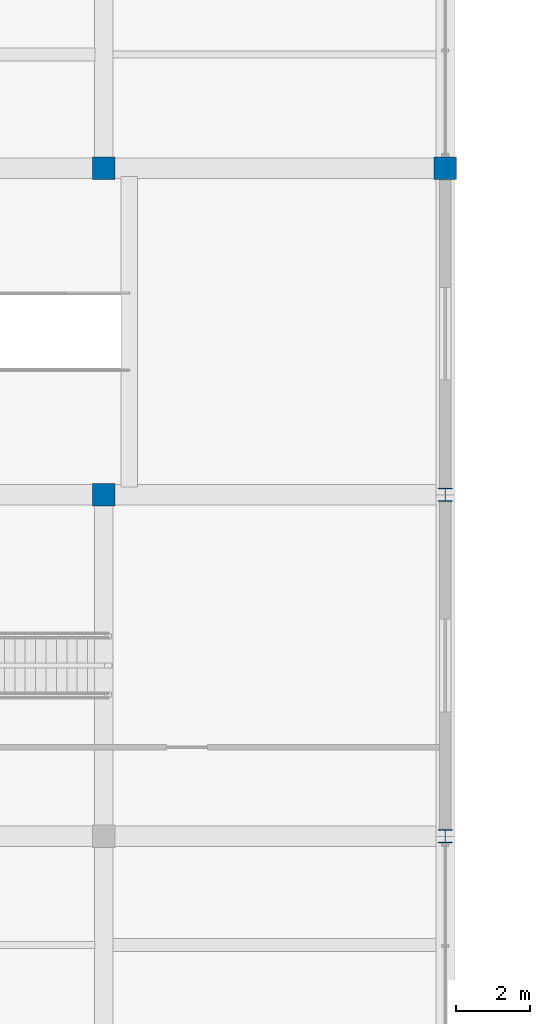
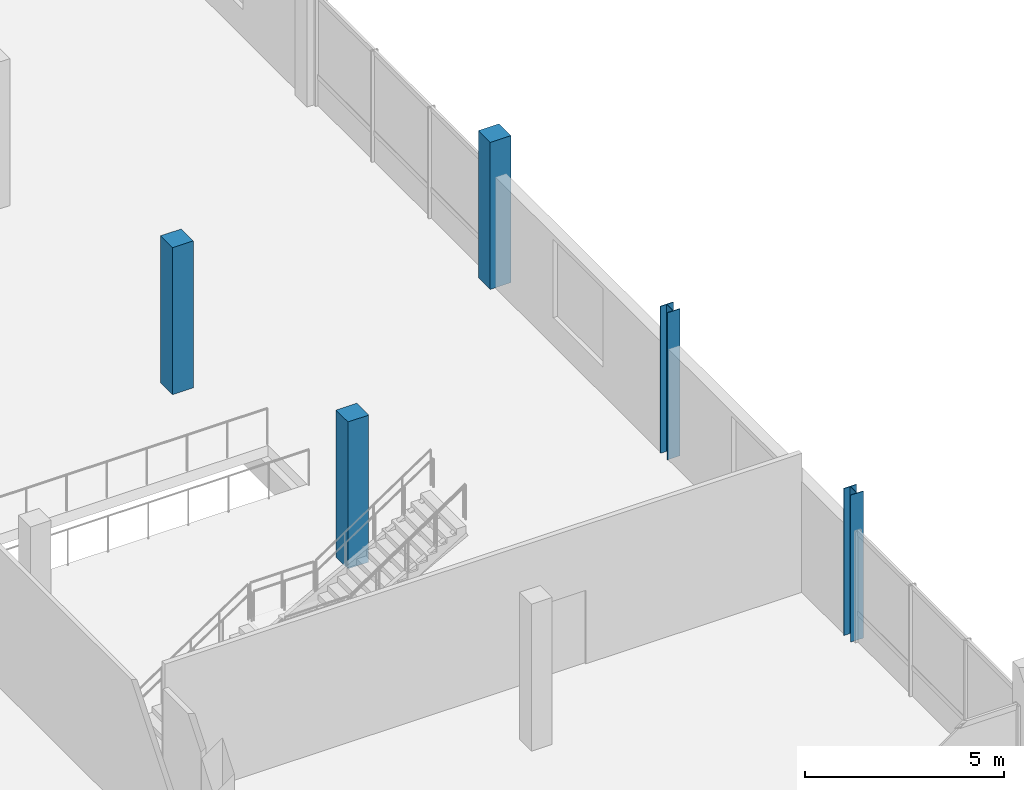
# One storey, part 6 of 77: 5 columns.
"""IFC4 building model written with IfcOpenShell, lengths in metres."""

from ifc_helpers import new_model, si_unit, direction, frame, origin, origin_2d, place, context, subcontext, project, spatial, rectangle, i_section, extrude, material, material_profile, profile_set, type_object, element, save


model = new_model("IFC4")

# Units and contexts
model_context = context("Model", 3, precision=1e-05, world=origin(), true_north=direction((0.0, 1.0)))
body_context = subcontext(model_context, "Body", "Model", "MODEL_VIEW")
ifc_project = project(units=[si_unit("LENGTHUNIT", "METRE"), si_unit("AREAUNIT", "SQUARE_METRE"), si_unit("VOLUMEUNIT", "CUBIC_METRE"), si_unit("PLANEANGLEUNIT", "RADIAN"), si_unit("MASSUNIT", "GRAM", prefix="KILO")], contexts=[model_context])

# Site, building, storey
site_placement = place(None, origin())
site = spatial("IfcSite", under=ifc_project, at=site_placement, CompositionType="ELEMENT")
building_placement = place(site_placement, origin())
building = spatial("IfcBuilding", under=site, at=building_placement, Name="Meriwether Solvik Hall", CompositionType="ELEMENT")
storey_placement = place(building_placement, frame((0.0, 0.0, 9.89990234375)))
storey = spatial("IfcBuildingStorey", under=building, at=storey_placement, Name="L02", CompositionType="ELEMENT", Elevation=9.89990234375)

# Columns
ifc_material_1 = material(Name="Concrete C40/50", Category="concrete")
ifc_material_profile_1 = material_profile(ifc_material_1, rectangle(XDim=0.60009765625, YDim=0.60009765625, at=origin_2d()), Name="RCC-600X600")
ifc_profile_set_1 = profile_set([ifc_material_profile_1], Name="Concrete C40/50")
column_type_1 = type_object("IfcColumnType", Name="COL-RC-600", PredefinedType="COLUMN", material=ifc_profile_set_1)
for number, where, z_axis, x_axis, name in (
    (1, (105.0, 23.199951171875, 0.0), (0.0, 0.0, 1.0), (1.0, 0.0, 0.0), "Podium Column 12/C (L02)"),
    (2, (105.0, 32.0, 0.0), (0.0, 0.0, 1.0), (1.0, 0.0, 0.0), "Podium Column 12/D (L02)"),
    (3, (114.199951171875, 32.0, 0.0), (0.0, 0.0, 1.0), (1.0, 0.0, 0.0), "Podium Column 13/D (L02)"),
):
    element("IfcColumn", number, at=place(storey_placement, frame(where, z_axis=z_axis, x_axis=x_axis)), inside=storey, type_object=column_type_1, Name=name, PredefinedType="COLUMN", context=body_context, shape_type="SweptSolid", body=[
        extrude(rectangle(XDim=0.60009765625, YDim=0.60009765625, at=origin_2d()), origin(), (0.0, 0.0, 1.0), 4.5),
    ])
ifc_material_2 = material(Name="Steel A992 Grade 50", Category="steel")
ifc_material_profile_2 = material_profile(ifc_material_2, i_section(OverallWidth=0.368896484375, OverallDepth=0.35595703125, WebThickness=0.01123046875, FlangeThickness=0.01806640625, at=origin_2d()), Name="W14X90")
ifc_profile_set_2 = profile_set([ifc_material_profile_2], Name="Steel A992 Grade 50")
column_type_2 = type_object("IfcColumnType", Name="COL-STL-W14X90", PredefinedType="COLUMN", material=ifc_profile_set_2)
for number, where, z_axis, x_axis, name in (
    (4, (114.199951171875, 14.0, 0.0), (0.0, 0.0, 1.0), (1.0, 0.0, 0.0), "Podium Column 13/B (L02)"),
    (5, (114.199951171875, 23.199951171875, 0.0), (0.0, 0.0, 1.0), (1.0, 0.0, 0.0), "Podium Column 13/C (L02)"),
):
    element("IfcColumn", number, at=place(storey_placement, frame(where, z_axis=z_axis, x_axis=x_axis)), inside=storey, type_object=column_type_2, Name=name, PredefinedType="COLUMN", context=body_context, shape_type="SweptSolid", body=[
        extrude(i_section(OverallWidth=0.368896484375, OverallDepth=0.35595703125, WebThickness=0.01123046875, FlangeThickness=0.01806640625, at=origin_2d()), origin(), (0.0, 0.0, 1.0), 4.5),
    ])

save(model, "model.ifc")
